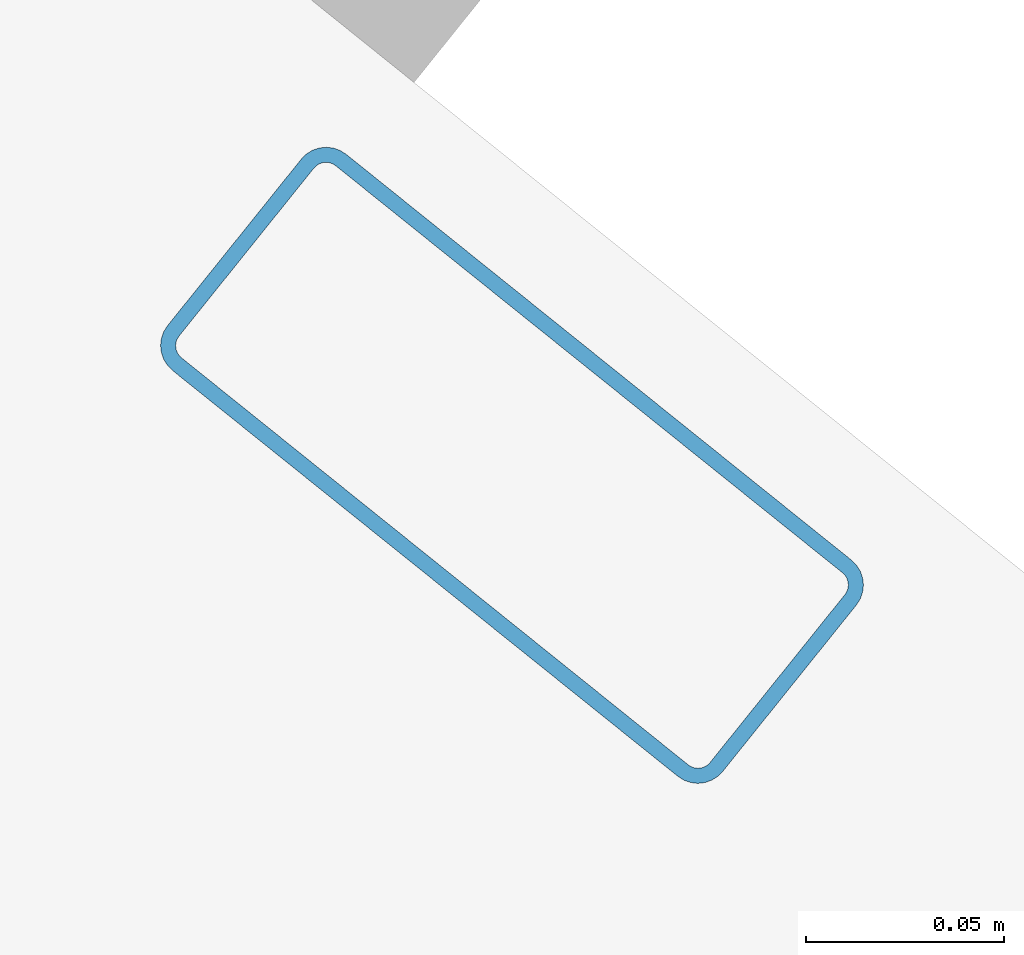
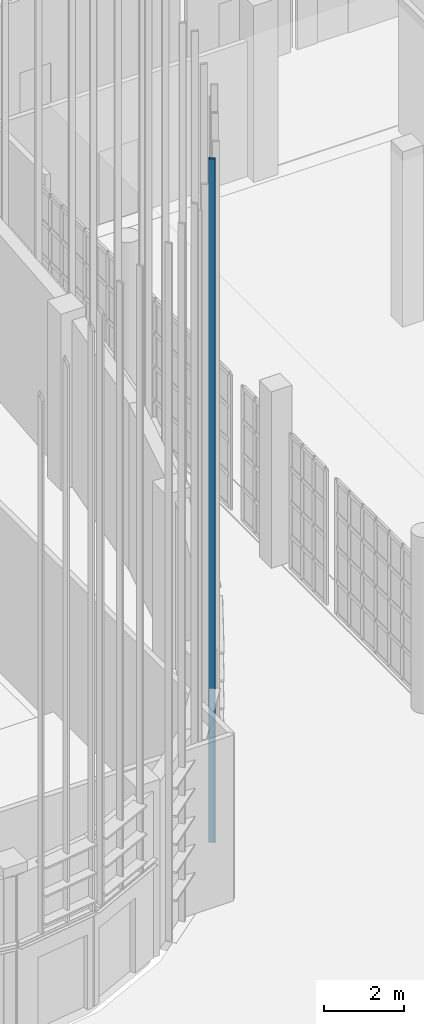
# One storey, part 203 of 372: 1 member.
"""IFC4 building model written with IfcOpenShell, lengths in metres."""

from ifc_helpers import new_model, si_unit, direction, frame, origin, origin_2d, place, context, subcontext, project, spatial, hollow_rectangle, extrude, material, material_profile, profile_set, type_object, element, save


model = new_model("IFC4")

# Units and contexts
model_context = context("Model", 3, precision=1e-05, world=origin(), true_north=direction((0.0, 1.0)))
body_context = subcontext(model_context, "Body", "Model", "MODEL_VIEW")
ifc_project = project(units=[si_unit("LENGTHUNIT", "METRE"), si_unit("AREAUNIT", "SQUARE_METRE"), si_unit("VOLUMEUNIT", "CUBIC_METRE"), si_unit("PLANEANGLEUNIT", "RADIAN"), si_unit("MASSUNIT", "GRAM", prefix="KILO")], contexts=[model_context])

# Site, building, storey
site_placement = place(None, origin())
site = spatial("IfcSite", under=ifc_project, at=site_placement, CompositionType="ELEMENT")
building_placement = place(site_placement, origin())
building = spatial("IfcBuilding", under=site, at=building_placement, Name="Kaelora Sail Theatre", CompositionType="ELEMENT")
storey_placement = place(building_placement, origin())
storey = spatial("IfcBuildingStorey", under=building, at=storey_placement, Name="L00", CompositionType="ELEMENT", Elevation=0.0)

# Member
ifc_material = material(Name="Anodised aluminium 6063-T6", Category="aluminium")
ifc_material_profile = material_profile(ifc_material, hollow_rectangle(XDim=0.070068359375, YDim=0.179931640625, WallThickness=0.00390625, InnerFilletRadius=0.00390625, OuterFilletRadius=0.008056640625, at=origin_2d()), Name="ALU-MULL 70x180x4")
ifc_profile_set = profile_set([ifc_material_profile], Name="Anodised aluminium 6063-T6")
member_type = type_object("IfcMemberType", Name="ARC-MEM-PST-160", PredefinedType="POST", material=ifc_profile_set)
member_placement = place(storey_placement, frame((99.23388671875, 36.231689453125, 0.0), z_axis=(0.0, 0.0, 1.0), x_axis=(-0.626195665085, -0.779665947075, 0.0)))
element("IfcMember", 1, at=member_placement, inside=storey, type_object=member_type, Name="Studio Theatre Sail Drum solar louvre vertical support post C7-1", PredefinedType="POST", context=body_context, shape_type="SweptSolid", body=[
    extrude(hollow_rectangle(XDim=0.070068359375, YDim=0.179931640625, WallThickness=0.00390625, InnerFilletRadius=0.00390625, OuterFilletRadius=0.008056640625, at=origin_2d()), origin(), (0.0, 0.0, 1.0), 20.927978515625),
])

save(model, "model.ifc")
